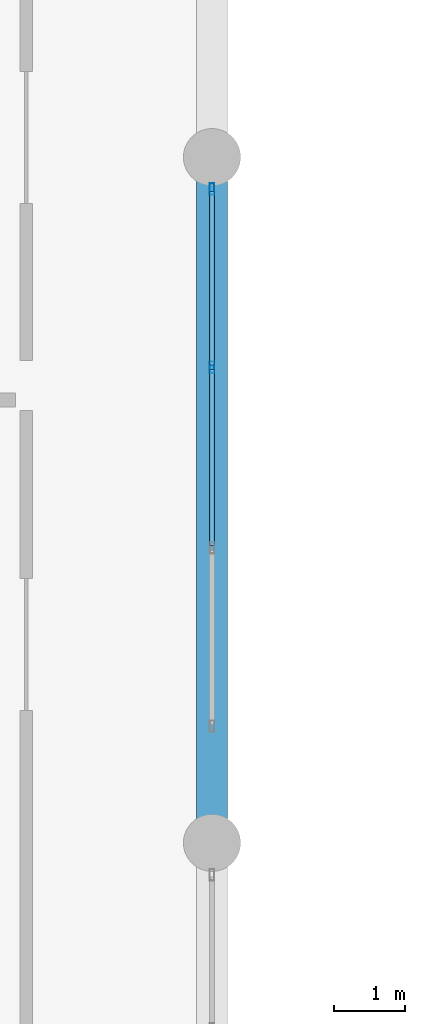
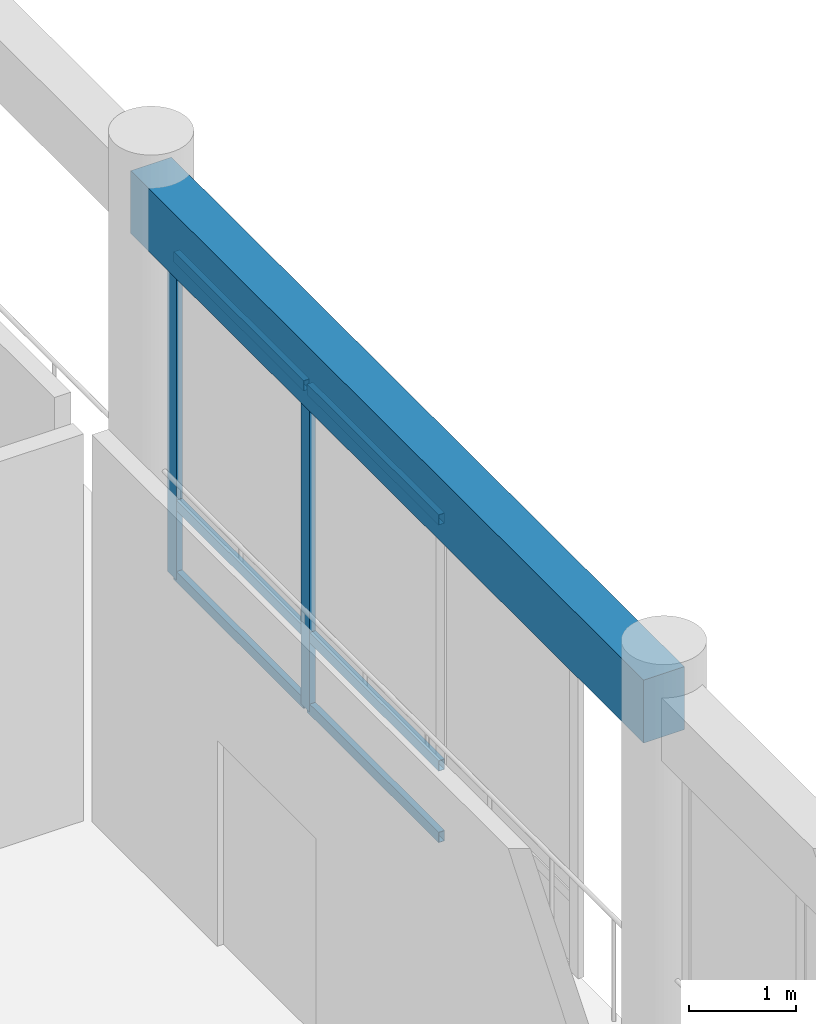
# One storey, part 25 of 133: 8 members, 1 beam, 1 element without a shape of its own.
"""IFC4 building model written with IfcOpenShell, lengths in metres."""

from ifc_helpers import new_model, si_unit, direction, frame, origin, origin_2d, place, context, subcontext, project, spatial, rectangle, hollow_rectangle, extrude, material, layer, layer_set, material_profile, profile_set, type_object, element, aggregate, save


model = new_model("IFC4")

# Units and contexts
model_context = context("Model", 3, precision=1e-05, world=origin(), true_north=direction((0.0, 1.0)))
body_context = subcontext(model_context, "Body", "Model", "MODEL_VIEW")
ifc_project = project(units=[si_unit("LENGTHUNIT", "METRE"), si_unit("AREAUNIT", "SQUARE_METRE"), si_unit("VOLUMEUNIT", "CUBIC_METRE"), si_unit("PLANEANGLEUNIT", "RADIAN"), si_unit("MASSUNIT", "GRAM", prefix="KILO")], contexts=[model_context])

# Site, building, storey
site_placement = place(None, origin())
site = spatial("IfcSite", under=ifc_project, at=site_placement, CompositionType="ELEMENT")
building_placement = place(site_placement, origin())
building = spatial("IfcBuilding", under=site, at=building_placement, Name="Nakhvara Creek Congress Hotel", CompositionType="ELEMENT")
storey_placement = place(building_placement, frame((0.0, 0.0, 11.39990234375)))
storey = spatial("IfcBuildingStorey", under=building, at=storey_placement, Name="L02", CompositionType="ELEMENT", Elevation=11.39990234375)

# Beam
ifc_material_1 = material(Name="Concrete C40/50", Category="concrete")
ifc_material_profile_1 = material_profile(ifc_material_1, rectangle(XDim=0.43994140625, YDim=0.719970703125, at=origin_2d()), Name="RC-BM 440x720", Category="LoadBearing")
ifc_profile_set_1 = profile_set([ifc_material_profile_1], Name="Concrete C40/50")
beam_type = type_object("IfcBeamType", Name="BM-RC-440X720", PredefinedType="BEAM", material=ifc_profile_set_1)
beam_placement = place(storey_placement, frame((76.800048828125, 52.800048828125, 4.06005859375), z_axis=(0.0, 1.0, 0.0), x_axis=(-1.0, 0.0, 0.0)))
element("IfcBeam", 1, at=beam_placement, inside=storey, type_object=beam_type, Name="Beam B12-L02-1458", PredefinedType="BEAM", context=body_context, shape_type="SweptSolid", body=[
    extrude(rectangle(XDim=0.43994140625, YDim=0.719970703125, at=origin_2d()), origin(), (0.0, 0.0, 1.0), 9.599853515625),
])

# Curtain wall, members
ifc_material_2 = material(Name="Bronze-anodised aluminium AW-6063-T6 and double-silver low-E glass", Category="aluminium")
ifc_layer = layer(ifc_material_2, 0.199951171875)
ifc_layer_set = layer_set([ifc_layer], Name="Bronze-anodised aluminium AW-6063-T6 and double-silver low-E glass")
curtain_wall_type = type_object("IfcCurtainWallType", Name="CW-POD-STICK", PredefinedType="NOTDEFINED", material=ifc_layer_set)
curtain_wall_placement = place(storey_placement, origin())
curtain_wall = element("IfcCurtainWall", 2, at=curtain_wall_placement, inside=storey, type_object=curtain_wall_type, Name="Curtain Wall CW045", PredefinedType="NOTDEFINED")
ifc_material_3 = material(Name="Bronze-anodised aluminium AW-6063-T6", Category="aluminium")
ifc_material_profile_2 = material_profile(ifc_material_3, hollow_rectangle(XDim=0.06494140625, YDim=0.159912109375, WallThickness=0.00390625, at=origin_2d()), Name="ALU-MULL 65x160x4", Category="LoadBearing")
ifc_profile_set_2 = profile_set([ifc_material_profile_2], Name="Bronze-anodised aluminium AW-6063-T6")
member_type_1 = type_object("IfcMemberType", Name="CW-MULL-160", PredefinedType="MULLION", material=ifc_profile_set_2)
member_1_placement = place(storey_placement, frame((76.800048828125, 61.952392578125, 0.0), z_axis=(0.0, 0.0, 1.0), x_axis=(1.0, 0.0, 0.0)))
member_1 = element("IfcMember", 3, at=member_1_placement, type_object=member_type_1, Name="CW045 mullion 1", PredefinedType="MULLION", context=body_context, shape_type="SweptSolid", body=[
    extrude(hollow_rectangle(XDim=0.06494140625, YDim=0.159912109375, WallThickness=0.00390625, at=origin_2d()), origin(), (0.0, 0.0, 1.0), 3.692138671875),
])
member_2_placement = place(storey_placement, frame((76.800048828125, 59.456787109375, 0.0), z_axis=(0.0, 0.0, 1.0), x_axis=(1.0, 0.0, 0.0)))
member_2 = element("IfcMember", 4, at=member_2_placement, type_object=member_type_1, Name="CW045 mullion 2", PredefinedType="MULLION", context=body_context, shape_type="SweptSolid", body=[
    extrude(hollow_rectangle(XDim=0.06494140625, YDim=0.159912109375, WallThickness=0.00390625, at=origin_2d()), origin(), (0.0, 0.0, 1.0), 3.692138671875),
])
ifc_material_profile_3 = material_profile(ifc_material_3, hollow_rectangle(XDim=0.06494140625, YDim=0.1201171875, WallThickness=0.00390625, at=origin_2d()), Name="ALU-TRAN 65x120x4", Category="LoadBearing")
ifc_profile_set_3 = profile_set([ifc_material_profile_3], Name="Bronze-anodised aluminium AW-6063-T6")
member_type_2 = type_object("IfcMemberType", Name="CW-TRAN-120", PredefinedType="USERDEFINED", material=ifc_profile_set_3)
member_3_placement = place(storey_placement, frame((76.800048828125, 61.919921875, 0.03271484375), z_axis=(0.0, -1.0, 0.0), x_axis=(1.0, 0.0, 0.0)))
member_3 = element("IfcMember", 5, at=member_3_placement, type_object=member_type_2, Name="CW045 transom 1.1", ObjectType="TRANSOM", PredefinedType="USERDEFINED", context=body_context, shape_type="SweptSolid", body=[
    extrude(hollow_rectangle(XDim=0.06494140625, YDim=0.1201171875, WallThickness=0.00390625, at=origin_2d()), origin(), (0.0, 0.0, 1.0), 2.4306640625),
])
member_4_placement = place(storey_placement, frame((76.800048828125, 61.919921875, 0.85009765625), z_axis=(0.0, -1.0, 0.0), x_axis=(1.0, 0.0, 0.0)))
member_4 = element("IfcMember", 6, at=member_4_placement, type_object=member_type_2, Name="CW045 transom 1.2", ObjectType="TRANSOM", PredefinedType="USERDEFINED", context=body_context, shape_type="SweptSolid", body=[
    extrude(hollow_rectangle(XDim=0.06494140625, YDim=0.1201171875, WallThickness=0.00390625, at=origin_2d()), origin(), (0.0, 0.0, 1.0), 2.4306640625),
])
member_5_placement = place(storey_placement, frame((76.800048828125, 61.919921875, 3.65966796875), z_axis=(0.0, -1.0, 0.0), x_axis=(1.0, 0.0, 0.0)))
member_5 = element("IfcMember", 7, at=member_5_placement, type_object=member_type_2, Name="CW045 transom 1.3", ObjectType="TRANSOM", PredefinedType="USERDEFINED", context=body_context, shape_type="SweptSolid", body=[
    extrude(hollow_rectangle(XDim=0.06494140625, YDim=0.1201171875, WallThickness=0.00390625, at=origin_2d()), origin(), (0.0, 0.0, 1.0), 2.4306640625),
])
member_6_placement = place(storey_placement, frame((76.800048828125, 59.424072265625, 0.03271484375), z_axis=(0.0, -1.0, 0.0), x_axis=(1.0, 0.0, 0.0)))
member_6 = element("IfcMember", 8, at=member_6_placement, type_object=member_type_2, Name="CW045 transom 2.1", ObjectType="TRANSOM", PredefinedType="USERDEFINED", context=body_context, shape_type="SweptSolid", body=[
    extrude(hollow_rectangle(XDim=0.06494140625, YDim=0.1201171875, WallThickness=0.00390625, at=origin_2d()), origin(), (0.0, 0.0, 1.0), 2.463134765625),
])
member_7_placement = place(storey_placement, frame((76.800048828125, 59.424072265625, 0.85009765625), z_axis=(0.0, -1.0, 0.0), x_axis=(1.0, 0.0, 0.0)))
member_7 = element("IfcMember", 9, at=member_7_placement, type_object=member_type_2, Name="CW045 transom 2.2", ObjectType="TRANSOM", PredefinedType="USERDEFINED", context=body_context, shape_type="SweptSolid", body=[
    extrude(hollow_rectangle(XDim=0.06494140625, YDim=0.1201171875, WallThickness=0.00390625, at=origin_2d()), origin(), (0.0, 0.0, 1.0), 2.463134765625),
])
member_8_placement = place(storey_placement, frame((76.800048828125, 59.424072265625, 3.65966796875), z_axis=(0.0, -1.0, 0.0), x_axis=(1.0, 0.0, 0.0)))
member_8 = element("IfcMember", 10, at=member_8_placement, type_object=member_type_2, Name="CW045 transom 2.3", ObjectType="TRANSOM", PredefinedType="USERDEFINED", context=body_context, shape_type="SweptSolid", body=[
    extrude(hollow_rectangle(XDim=0.06494140625, YDim=0.1201171875, WallThickness=0.00390625, at=origin_2d()), origin(), (0.0, 0.0, 1.0), 2.463134765625),
])
aggregate(curtain_wall, [member_1, member_2, member_3, member_4, member_5, member_6, member_7, member_8])

save(model, "model.ifc")
